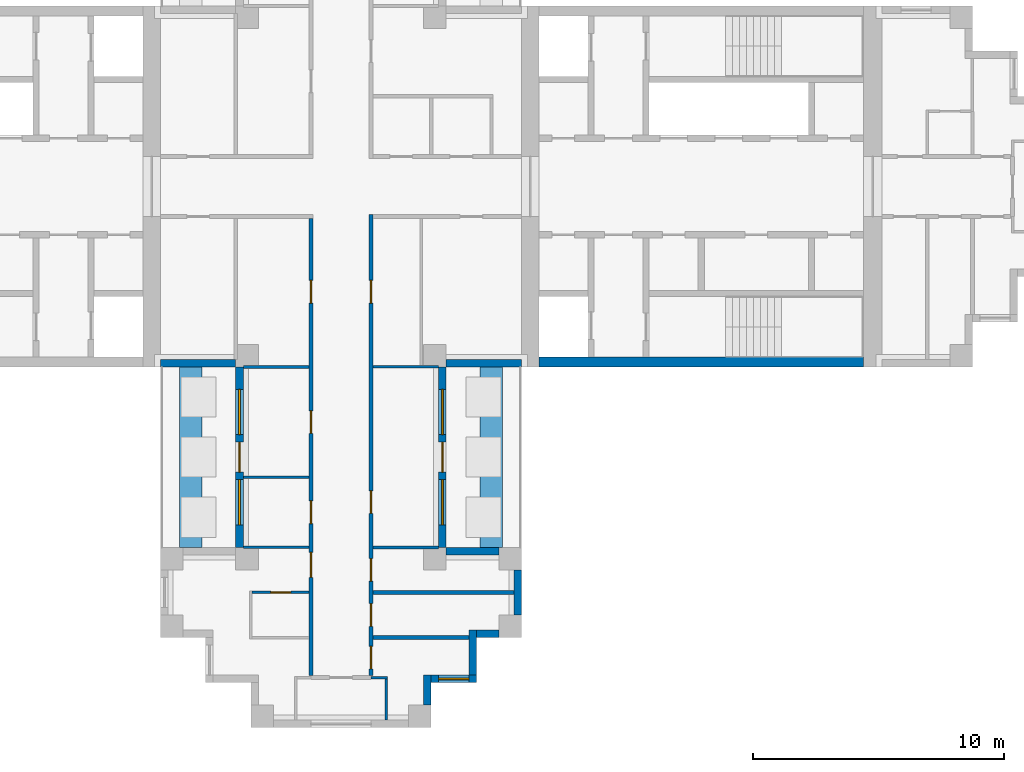
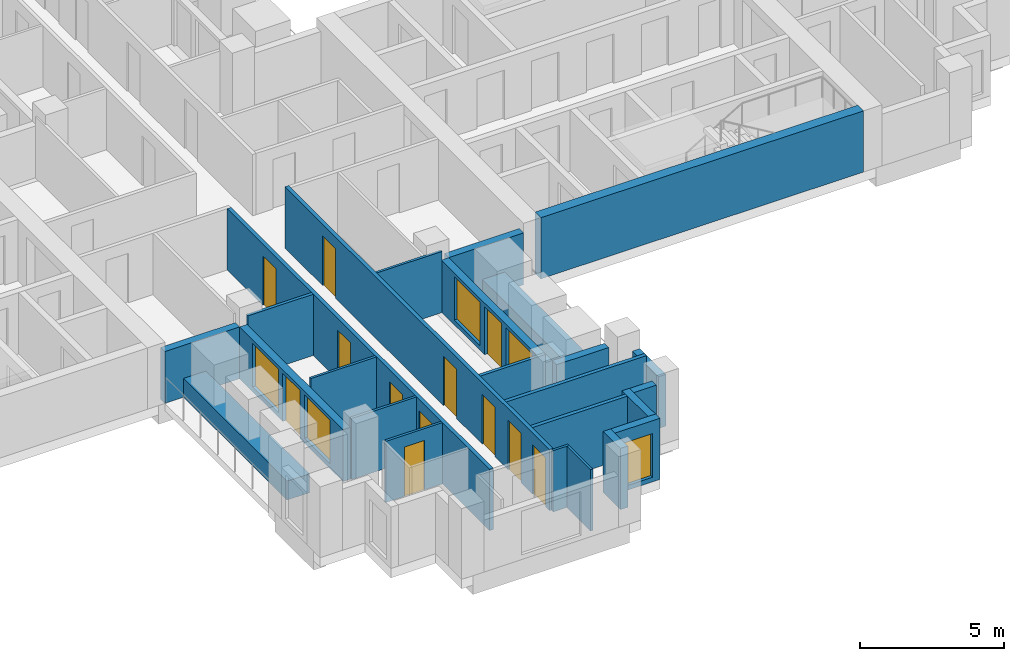
# One storey, part 4 of 10: 25 walls, 12 doors, 5 windows, 17 openings.
"""IFC4 building model written with IfcOpenShell, lengths in metres."""

from ifc_helpers import new_model, si_unit, direction, frame, frame_2d, origin, place, context, subcontext, project, spatial, rectangle, extrude, material, layer, layer_set, type_object, element, fill, save


model = new_model("IFC4")

# Units and contexts
model_context = context("Model", 3, precision=1e-05, world=origin(), true_north=direction((0.0, 1.0)))
body_context = subcontext(model_context, "Body", "Model", "MODEL_VIEW")
ifc_project = project(units=[si_unit("LENGTHUNIT", "METRE"), si_unit("AREAUNIT", "SQUARE_METRE"), si_unit("VOLUMEUNIT", "CUBIC_METRE"), si_unit("PLANEANGLEUNIT", "RADIAN"), si_unit("MASSUNIT", "GRAM", prefix="KILO")], contexts=[model_context])

# Site, building, storey
site_placement = place(None, origin())
site = spatial("IfcSite", under=ifc_project, at=site_placement, CompositionType="ELEMENT")
building_placement = place(site_placement, origin())
building = spatial("IfcBuilding", under=site, at=building_placement, Name="Fustian Cross Tower", CompositionType="ELEMENT")
storey_placement = place(building_placement, frame((0.0, 0.0, 185.699951171875)))
storey = spatial("IfcBuildingStorey", under=building, at=storey_placement, Name="L58", CompositionType="ELEMENT", Elevation=185.699951171875)

# Wall, openings, doors
ifc_material_1 = material(Name="Plasterboard on steel stud", Category="steel")
ifc_layer_1 = layer(ifc_material_1, 0.14990234375)
ifc_layer_set_1 = layer_set([ifc_layer_1], Name="Plasterboard on steel stud")
wall_type_1 = type_object("IfcWallType", Name="COMPARTMENT WALL 150 EI 60", PredefinedType="PARTITIONING", material=ifc_layer_set_1)
wall_1_placement = place(storey_placement, frame((-1.199951171875, -19.52490234375, 0.0), z_axis=(0.0, 0.0, 1.0), x_axis=(0.0, 1.0, 0.0)))
wall_1 = element("IfcWall", 1, at=wall_1_placement, inside=storey, type_object=wall_type_1, Name="Partition 31", PredefinedType="PARTITIONING", context=body_context, shape_type="SweptSolid", body=[
    extrude(rectangle(XDim=18.25, YDim=0.14990234375, at=frame_2d((9.125, 0.0))), origin(), (0.0, 0.0, 1.0), 2.60009765625),
])
opening_1_placement = place(wall_1_placement, frame((14.875, 0.0, 0.0)))
opening_1 = element("IfcOpeningElement", 2, at=opening_1_placement, cuts=wall_1, Name="Opening D26008", PredefinedType="OPENING", context=body_context, shape_type="SweptSolid", body=[
    extrude(rectangle(XDim=0.89990234375, YDim=2.10009765625, at=frame_2d((0.449951171875, 1.050048828125))), frame((0.0, 0.0849609375, 0.0), z_axis=(0.0, -1.0, 0.0), x_axis=(1.0, 0.0, 0.0)), (0.0, 0.0, 1.0), 0.169921875),
])
opening_2_placement = place(wall_1_placement, frame((6.074951171875, 0.0, 0.0)))
opening_2 = element("IfcOpeningElement", 3, at=opening_2_placement, cuts=wall_1, Name="Opening D26043", PredefinedType="OPENING", context=body_context, shape_type="SweptSolid", body=[
    extrude(rectangle(XDim=0.89990234375, YDim=2.10009765625, at=frame_2d((0.449951171875, 1.050048828125))), frame((0.0, 0.0849609375, 0.0), z_axis=(0.0, -1.0, 0.0), x_axis=(1.0, 0.0, 0.0)), (0.0, 0.0, 1.0), 0.169921875),
])
opening_3_placement = place(wall_1_placement, frame((9.675048828125, 0.0, 0.0)))
opening_3 = element("IfcOpeningElement", 4, at=opening_3_placement, cuts=wall_1, Name="Opening D26044", PredefinedType="OPENING", context=body_context, shape_type="SweptSolid", body=[
    extrude(rectangle(XDim=0.89990234375, YDim=2.10009765625, at=frame_2d((0.449951171875, 1.050048828125))), frame((0.0, 0.0849609375, 0.0), z_axis=(0.0, -1.0, 0.0), x_axis=(1.0, 0.0, 0.0)), (0.0, 0.0, 1.0), 0.169921875),
])
opening_4_placement = place(wall_1_placement, frame((3.925048828125, 0.0, 0.0)))
opening_4 = element("IfcOpeningElement", 5, at=opening_4_placement, cuts=wall_1, Name="Opening D26046", PredefinedType="OPENING", context=body_context, shape_type="SweptSolid", body=[
    extrude(rectangle(XDim=1.0, YDim=2.10009765625, at=frame_2d((0.5, 1.050048828125))), frame((0.0, 0.0849609375, 0.0), z_axis=(0.0, -1.0, 0.0), x_axis=(1.0, 0.0, 0.0)), (0.0, 0.0, 1.0), 0.169921875),
])
ifc_material_2 = material(Name="Timber fire door set", Category="wood")
door_type_1 = type_object("IfcDoorType", Name="FIRE SWING DOOR 1000 FD30S", OperationType="SINGLE_SWING_LEFT", PredefinedType="DOOR", material=ifc_material_2)
door_1_placement = place(opening_4_placement, origin())
door_1 = element("IfcDoor", 6, at=door_1_placement, inside=storey, type_object=door_type_1, Name="Door D26046", OperationType="SINGLE_SWING_RIGHT", OverallHeight=2.10009765625, OverallWidth=1.0, PredefinedType="DOOR", context=body_context, shape_type="SweptSolid", body=[
    extrude(rectangle(XDim=1.0, YDim=2.10009765625, at=frame_2d((0.5, 1.050048828125))), frame((0.0, 0.02490234375, 0.0), z_axis=(0.0, -1.0, 0.0), x_axis=(1.0, 0.0, 0.0)), (0.0, 0.0, 1.0), 0.050048828125),
])
fill(opening_4, door_1)
ifc_material_3 = material(Name="Timber fire door set", Category="wood")
door_type_2 = type_object("IfcDoorType", Name="FIRE SWING DOOR 900 FD30S", OperationType="SINGLE_SWING_LEFT", PredefinedType="DOOR", material=ifc_material_3)
door_2_placement = place(opening_1_placement, origin())
door_2 = element("IfcDoor", 7, at=door_2_placement, inside=storey, type_object=door_type_2, Name="Door D26008", OperationType="SINGLE_SWING_LEFT", OverallHeight=2.10009765625, OverallWidth=0.89990234375, PredefinedType="DOOR", context=body_context, shape_type="SweptSolid", body=[
    extrude(rectangle(XDim=0.89990234375, YDim=2.10009765625, at=frame_2d((0.449951171875, 1.050048828125))), frame((0.0, 0.02490234375, 0.0), z_axis=(0.0, -1.0, 0.0), x_axis=(1.0, 0.0, 0.0)), (0.0, 0.0, 1.0), 0.050048828125),
])
fill(opening_1, door_2)
door_3_placement = place(opening_2_placement, origin())
door_3 = element("IfcDoor", 8, at=door_3_placement, inside=storey, type_object=door_type_2, Name="Door D26043", OperationType="SINGLE_SWING_LEFT", OverallHeight=2.10009765625, OverallWidth=0.89990234375, PredefinedType="DOOR", context=body_context, shape_type="SweptSolid", body=[
    extrude(rectangle(XDim=0.89990234375, YDim=2.10009765625, at=frame_2d((0.449951171875, 1.050048828125))), frame((0.0, 0.02490234375, 0.0), z_axis=(0.0, -1.0, 0.0), x_axis=(1.0, 0.0, 0.0)), (0.0, 0.0, 1.0), 0.050048828125),
])
fill(opening_2, door_3)
door_4_placement = place(opening_3_placement, origin())
door_4 = element("IfcDoor", 9, at=door_4_placement, inside=storey, type_object=door_type_2, Name="Door D26044", OperationType="SINGLE_SWING_LEFT", OverallHeight=2.10009765625, OverallWidth=0.89990234375, PredefinedType="DOOR", context=body_context, shape_type="SweptSolid", body=[
    extrude(rectangle(XDim=0.89990234375, YDim=2.10009765625, at=frame_2d((0.449951171875, 1.050048828125))), frame((0.0, 0.02490234375, 0.0), z_axis=(0.0, -1.0, 0.0), x_axis=(1.0, 0.0, 0.0)), (0.0, 0.0, 1.0), 0.050048828125),
])
fill(opening_3, door_4)

wall_2_placement = place(storey_placement, frame((1.199951171875, -19.52490234375, 0.0), z_axis=(0.0, 0.0, 1.0), x_axis=(0.0, 1.0, 0.0)))
wall_2 = element("IfcWall", 10, at=wall_2_placement, inside=storey, type_object=wall_type_1, Name="Partition 35", PredefinedType="PARTITIONING", context=body_context, shape_type="SweptSolid", body=[
    extrude(rectangle(XDim=18.39990234375, YDim=0.14990234375, at=frame_2d((9.199951171875, 0.0))), origin(), (0.0, 0.0, 1.0), 2.60009765625),
])
opening_5_placement = place(wall_2_placement, frame((14.875, 0.0, 0.0)))
opening_5 = element("IfcOpeningElement", 11, at=opening_5_placement, cuts=wall_2, Name="Opening D26006", PredefinedType="OPENING", context=body_context, shape_type="SweptSolid", body=[
    extrude(rectangle(XDim=0.89990234375, YDim=2.10009765625, at=frame_2d((0.449951171875, 1.050048828125))), frame((0.0, 0.0849609375, 0.0), z_axis=(0.0, -1.0, 0.0), x_axis=(1.0, 0.0, 0.0)), (0.0, 0.0, 1.0), 0.169921875),
])
opening_6_placement = place(wall_2_placement, frame((6.47509765625, 0.0, 0.0)))
opening_6 = element("IfcOpeningElement", 12, at=opening_6_placement, cuts=wall_2, Name="Opening D26039", PredefinedType="OPENING", context=body_context, shape_type="SweptSolid", body=[
    extrude(rectangle(XDim=0.89990234375, YDim=2.10009765625, at=frame_2d((0.449951171875, 1.050048828125))), frame((0.0, 0.0849609375, 0.0), z_axis=(0.0, -1.0, 0.0), x_axis=(1.0, 0.0, 0.0)), (0.0, 0.0, 1.0), 0.169921875),
])
opening_7_placement = place(wall_2_placement, frame((3.77490234375, 0.0, 0.0)))
opening_7 = element("IfcOpeningElement", 13, at=opening_7_placement, cuts=wall_2, Name="Opening D26040", PredefinedType="OPENING", context=body_context, shape_type="SweptSolid", body=[
    extrude(rectangle(XDim=0.89990234375, YDim=2.10009765625, at=frame_2d((0.449951171875, 1.050048828125))), frame((0.0, 0.0849609375, 0.0), z_axis=(0.0, -1.0, 0.0), x_axis=(1.0, 0.0, 0.0)), (0.0, 0.0, 1.0), 0.169921875),
])
opening_8_placement = place(wall_2_placement, frame((1.97509765625, 0.0, 0.0)))
opening_8 = element("IfcOpeningElement", 14, at=opening_8_placement, cuts=wall_2, Name="Opening D26041", PredefinedType="OPENING", context=body_context, shape_type="SweptSolid", body=[
    extrude(rectangle(XDim=0.89990234375, YDim=2.10009765625, at=frame_2d((0.449951171875, 1.050048828125))), frame((0.0, 0.0849609375, 0.0), z_axis=(0.0, -1.0, 0.0), x_axis=(1.0, 0.0, 0.0)), (0.0, 0.0, 1.0), 0.169921875),
])
opening_9_placement = place(wall_2_placement, frame((0.27490234375, 0.0, 0.0)))
opening_9 = element("IfcOpeningElement", 15, at=opening_9_placement, cuts=wall_2, Name="Opening D26042", PredefinedType="OPENING", context=body_context, shape_type="SweptSolid", body=[
    extrude(rectangle(XDim=0.89990234375, YDim=2.10009765625, at=frame_2d((0.449951171875, 1.050048828125))), frame((0.0, 0.0849609375, 0.0), z_axis=(0.0, -1.0, 0.0), x_axis=(1.0, 0.0, 0.0)), (0.0, 0.0, 1.0), 0.169921875),
])
door_5_placement = place(opening_5_placement, frame((0.89990234375, 0.0, 0.0), z_axis=(0.0, 0.0, 1.0), x_axis=(-1.0, 0.0, 0.0)))
door_5 = element("IfcDoor", 16, at=door_5_placement, inside=storey, type_object=door_type_2, Name="Door D26006", OperationType="SINGLE_SWING_RIGHT", OverallHeight=2.10009765625, OverallWidth=0.89990234375, PredefinedType="DOOR", context=body_context, shape_type="SweptSolid", body=[
    extrude(rectangle(XDim=0.89990234375, YDim=2.10009765625, at=frame_2d((0.449951171875, 1.050048828125))), frame((0.0, 0.02490234375, 0.0), z_axis=(0.0, -1.0, 0.0), x_axis=(1.0, 0.0, 0.0)), (0.0, 0.0, 1.0), 0.050048828125),
])
fill(opening_5, door_5)
door_6_placement = place(opening_6_placement, frame((0.89990234375, 0.0, 0.0), z_axis=(0.0, 0.0, 1.0), x_axis=(-1.0, 0.0, 0.0)))
door_6 = element("IfcDoor", 17, at=door_6_placement, inside=storey, type_object=door_type_2, Name="Door D26039", OperationType="SINGLE_SWING_RIGHT", OverallHeight=2.10009765625, OverallWidth=0.89990234375, PredefinedType="DOOR", context=body_context, shape_type="SweptSolid", body=[
    extrude(rectangle(XDim=0.89990234375, YDim=2.10009765625, at=frame_2d((0.449951171875, 1.050048828125))), frame((0.0, 0.02490234375, 0.0), z_axis=(0.0, -1.0, 0.0), x_axis=(1.0, 0.0, 0.0)), (0.0, 0.0, 1.0), 0.050048828125),
])
fill(opening_6, door_6)
door_7_placement = place(opening_7_placement, frame((0.89990234375, 0.0, 0.0), z_axis=(0.0, 0.0, 1.0), x_axis=(-1.0, 0.0, 0.0)))
door_7 = element("IfcDoor", 18, at=door_7_placement, inside=storey, type_object=door_type_2, Name="Door D26040", OperationType="SINGLE_SWING_LEFT", OverallHeight=2.10009765625, OverallWidth=0.89990234375, PredefinedType="DOOR", context=body_context, shape_type="SweptSolid", body=[
    extrude(rectangle(XDim=0.89990234375, YDim=2.10009765625, at=frame_2d((0.449951171875, 1.050048828125))), frame((0.0, 0.02490234375, 0.0), z_axis=(0.0, -1.0, 0.0), x_axis=(1.0, 0.0, 0.0)), (0.0, 0.0, 1.0), 0.050048828125),
])
fill(opening_7, door_7)
door_8_placement = place(opening_8_placement, frame((0.89990234375, 0.0, 0.0), z_axis=(0.0, 0.0, 1.0), x_axis=(-1.0, 0.0, 0.0)))
door_8 = element("IfcDoor", 19, at=door_8_placement, inside=storey, type_object=door_type_2, Name="Door D26041", OperationType="SINGLE_SWING_LEFT", OverallHeight=2.10009765625, OverallWidth=0.89990234375, PredefinedType="DOOR", context=body_context, shape_type="SweptSolid", body=[
    extrude(rectangle(XDim=0.89990234375, YDim=2.10009765625, at=frame_2d((0.449951171875, 1.050048828125))), frame((0.0, 0.02490234375, 0.0), z_axis=(0.0, -1.0, 0.0), x_axis=(1.0, 0.0, 0.0)), (0.0, 0.0, 1.0), 0.050048828125),
])
fill(opening_8, door_8)
door_9_placement = place(opening_9_placement, frame((0.89990234375, 0.0, 0.0), z_axis=(0.0, 0.0, 1.0), x_axis=(-1.0, 0.0, 0.0)))
door_9 = element("IfcDoor", 20, at=door_9_placement, inside=storey, type_object=door_type_2, Name="Door D26042", OperationType="SINGLE_SWING_RIGHT", OverallHeight=2.10009765625, OverallWidth=0.89990234375, PredefinedType="DOOR", context=body_context, shape_type="SweptSolid", body=[
    extrude(rectangle(XDim=0.89990234375, YDim=2.10009765625, at=frame_2d((0.449951171875, 1.050048828125))), frame((0.0, 0.02490234375, 0.0), z_axis=(0.0, -1.0, 0.0), x_axis=(1.0, 0.0, 0.0)), (0.0, 0.0, 1.0), 0.050048828125),
])
fill(opening_9, door_9)

# Walls
wall_3_placement = place(storey_placement, frame((1.27490234375, -18.0, 0.0), z_axis=(0.0, 0.0, 1.0), x_axis=(1.0, 0.0, 0.0)))
element("IfcWall", 21, at=wall_3_placement, inside=storey, type_object=wall_type_1, Name="Partition 37", PredefinedType="PARTITIONING", context=body_context, shape_type="SweptSolid", body=[
    extrude(rectangle(XDim=3.8251953125, YDim=0.14990234375, at=frame_2d((1.91259765625, 0.0))), origin(), (0.0, 0.0, 1.0), 2.60009765625),
])
wall_4_placement = place(storey_placement, frame((1.27490234375, -16.199951171875, 0.0), z_axis=(0.0, 0.0, 1.0), x_axis=(1.0, 0.0, 0.0)))
element("IfcWall", 22, at=wall_4_placement, inside=storey, type_object=wall_type_1, Name="Partition 38", PredefinedType="PARTITIONING", context=body_context, shape_type="SweptSolid", body=[
    extrude(rectangle(XDim=5.625, YDim=0.14990234375, at=frame_2d((2.8125, 0.0))), origin(), (0.0, 0.0, 1.0), 2.60009765625),
])
ifc_material_4 = material(Name="Concrete C50/60", Category="concrete")
ifc_layer_2 = layer(ifc_material_4, 0.39990234375)
ifc_layer_set_2 = layer_set([ifc_layer_2], Name="Concrete C50/60")
wall_type_2 = type_object("IfcWallType", Name="CORE FACADE WALL 400 C50/60", PredefinedType="SHEAR", material=ifc_layer_set_2)
wall_5_placement = place(storey_placement, frame((7.89990234375, -7.0, 0.0), z_axis=(0.0, 0.0, 1.0), x_axis=(1.0, 0.0, 0.0)))
element("IfcWall", 23, at=wall_5_placement, inside=storey, type_object=wall_type_2, Name="Core facade wall", PredefinedType="SHEAR", context=body_context, shape_type="SweptSolid", body=[
    extrude(rectangle(XDim=12.9501953125, YDim=0.39990234375, at=frame_2d((6.47509765625, 0.0))), origin(), (0.0, 0.0, 1.0), 2.60009765625),
])
ifc_material_5 = material(Name="Plasterboard on steel stud", Category="steel")
ifc_layer_3 = layer(ifc_material_5, 0.10009765625)
ifc_layer_set_3 = layer_set([ifc_layer_3], Name="Plasterboard on steel stud")
wall_type_3 = type_object("IfcWallType", Name="PARTITION 100 STUD", PredefinedType="PARTITIONING", material=ifc_layer_set_3)
for number, where, z_axis, x_axis, name in (
    (24, (-3.89990234375, -14.39990234375, 0.0), (0.0, 0.0, 1.0), (1.0, 0.0, 0.0), "Partition 18"),
    (25, (-3.89990234375, -11.60009765625, 0.0), (0.0, 0.0, 1.0), (1.0, 0.0, 0.0), "Partition 19"),
):
    element("IfcWall", number, at=place(storey_placement, frame(where, z_axis=z_axis, x_axis=x_axis)), inside=storey, type_object=wall_type_3, Name=name, PredefinedType="PARTITIONING", context=body_context, shape_type="SweptSolid", body=[
        extrude(rectangle(XDim=2.625, YDim=0.10009765625, at=frame_2d((1.3125, 0.0))), origin(), (0.0, 0.0, 1.0), 2.60009765625),
    ])

# Wall, opening, door
wall_6_placement = place(storey_placement, frame((-3.550048828125, -16.199951171875, 0.0), z_axis=(0.0, 0.0, 1.0), x_axis=(1.0, 0.0, 0.0)))
wall_6 = element("IfcWall", 26, at=wall_6_placement, inside=storey, type_object=wall_type_3, Name="Partition 26", PredefinedType="PARTITIONING", context=body_context, shape_type="SweptSolid", body=[
    extrude(rectangle(XDim=2.275146484375, YDim=0.10009765625, at=frame_2d((1.1376953125, 0.0))), origin(), (0.0, 0.0, 1.0), 2.60009765625),
])
opening_10_placement = place(wall_6_placement, frame((0.75, 0.0, 0.0)))
opening_10 = element("IfcOpeningElement", 27, at=opening_10_placement, cuts=wall_6, Name="Opening D26045", PredefinedType="OPENING", context=body_context, shape_type="SweptSolid", body=[
    extrude(rectangle(XDim=0.800048828125, YDim=2.10009765625, at=frame_2d((0.39990234375, 1.050048828125))), frame((0.0, 0.06005859375, 0.0), z_axis=(0.0, -1.0, 0.0), x_axis=(1.0, 0.0, 0.0)), (0.0, 0.0, 1.0), 0.1201171875),
])
ifc_material_6 = material(Name="Painted timber", Category="wood")
door_type_3 = type_object("IfcDoorType", Name="SWING DOOR 800", OperationType="SINGLE_SWING_LEFT", PredefinedType="DOOR", material=ifc_material_6)
door_10_placement = place(opening_10_placement, frame((0.800048828125, 0.0, 0.0), z_axis=(0.0, 0.0, 1.0), x_axis=(-1.0, 0.0, 0.0)))
door_10 = element("IfcDoor", 28, at=door_10_placement, inside=storey, type_object=door_type_3, Name="Door D26045", OperationType="SINGLE_SWING_RIGHT", OverallHeight=2.10009765625, OverallWidth=0.800048828125, PredefinedType="DOOR", context=body_context, shape_type="SweptSolid", body=[
    extrude(rectangle(XDim=0.800048828125, YDim=2.10009765625, at=frame_2d((0.39990234375, 1.050048828125))), frame((0.0, 0.02490234375, 0.0), z_axis=(0.0, -1.0, 0.0), x_axis=(1.0, 0.0, 0.0)), (0.0, 0.0, 1.0), 0.050048828125),
])
fill(opening_10, door_10)

# Walls
wall_7_placement = place(storey_placement, frame((1.199951171875, -19.60009765625, 0.0), z_axis=(0.0, 0.0, 1.0), x_axis=(1.0, 0.0, 0.0)))
element("IfcWall", 29, at=wall_7_placement, inside=storey, type_object=wall_type_3, Name="Partition 36", PredefinedType="PARTITIONING", context=body_context, shape_type="SweptSolid", body=[
    extrude(rectangle(XDim=0.650146484375, YDim=0.10009765625, at=frame_2d((0.3251953125, 0.0))), origin(), (0.0, 0.0, 1.0), 2.60009765625),
])
wall_8_placement = place(storey_placement, frame((1.27490234375, -7.199951171875, 0.0), z_axis=(0.0, 0.0, 1.0), x_axis=(1.0, 0.0, 0.0)))
element("IfcWall", 30, at=wall_8_placement, inside=storey, type_object=wall_type_3, Name="Partition 40", PredefinedType="PARTITIONING", context=body_context, shape_type="SweptSolid", body=[
    extrude(rectangle(XDim=2.625, YDim=0.10009765625, at=frame_2d((1.3125, 0.0))), origin(), (0.0, 0.0, 1.0), 2.60009765625),
])
wall_9_placement = place(storey_placement, frame((1.800048828125, -21.300048828125, 0.0), z_axis=(0.0, 0.0, 1.0), x_axis=(0.0, 1.0, 0.0)))
element("IfcWall", 31, at=wall_9_placement, inside=storey, type_object=wall_type_3, Name="Partition 51", PredefinedType="PARTITIONING", context=body_context, shape_type="SweptSolid", body=[
    extrude(rectangle(XDim=1.650146484375, YDim=0.10009765625, at=frame_2d((0.8251953125, 0.0))), origin(), (0.0, 0.0, 1.0), 2.60009765625),
])
ifc_material_7 = material(Name="Concrete C40/50", Category="concrete")
ifc_layer_4 = layer(ifc_material_7, 0.89990234375)
ifc_layer_set_4 = layer_set([ifc_layer_4], Name="Concrete C40/50")
wall_type_4 = type_object("IfcWallType", Name="PK1 PLANTER 900", PredefinedType="PARAPET", material=ifc_layer_set_4)
for number, where, z_axis, x_axis, name in (
    (32, (6.0, -14.39990234375, 0.0), (0.0, 0.0, 1.0), (0.0, 1.0, 0.0), "PLANTER"),
    (33, (-6.0, -14.39990234375, 0.0), (0.0, 0.0, 1.0), (0.0, 1.0, 0.0), "PLANTER"),
):
    element("IfcWall", number, at=place(storey_placement, frame(where, z_axis=z_axis, x_axis=x_axis)), inside=storey, type_object=wall_type_4, Name=name, PredefinedType="PARAPET", context=body_context, shape_type="SweptSolid", body=[
        extrude(rectangle(XDim=7.199951171875, YDim=0.89990234375, at=frame_2d((3.60009765625, 0.0))), origin(), (0.0, 0.0, 1.0), 0.800048828125),
    ])
ifc_material_8 = material(Name="Plasterboard on steel stud", Category="steel")
ifc_layer_5 = layer(ifc_material_8, 0.125)
ifc_layer_set_5 = layer_set([ifc_layer_5], Name="Plasterboard on steel stud")
wall_type_5 = type_object("IfcWallType", Name="WET WALL 125 STUD", PredefinedType="PARTITIONING", material=ifc_layer_set_5)
for number, where, z_axis, x_axis, name in (
    (34, (-3.89990234375, -7.199951171875, 0.0), (0.0, 0.0, 1.0), (1.0, 0.0, 0.0), "Partition 20"),
    (35, (1.27490234375, -14.39990234375, 0.0), (0.0, 0.0, 1.0), (1.0, 0.0, 0.0), "Partition 39"),
):
    element("IfcWall", number, at=place(storey_placement, frame(where, z_axis=z_axis, x_axis=x_axis)), inside=storey, type_object=wall_type_5, Name=name, PredefinedType="PARTITIONING", context=body_context, shape_type="SweptSolid", body=[
        extrude(rectangle(XDim=2.625, YDim=0.125, at=frame_2d((1.3125, 0.0))), origin(), (0.0, 0.0, 1.0), 2.60009765625),
    ])
ifc_material_9 = material(Name="Dark aluminium cladding on insulated backing wall", Category="aluminium")
ifc_layer_6 = layer(ifc_material_9, 0.300048828125)
ifc_layer_set_6 = layer_set([ifc_layer_6], Name="Dark aluminium cladding on insulated backing wall")
wall_type_6 = type_object("IfcWallType", Name="XW1 EXTERNAL WALL 300", PredefinedType="SOLIDWALL", material=ifc_layer_set_6)
wall_10_placement = place(storey_placement, frame((-7.199951171875, -7.050048828125, 0.0), z_axis=(0.0, 0.0, 1.0), x_axis=(1.0, 0.0, 0.0)))
element("IfcWall", 36, at=wall_10_placement, inside=storey, type_object=wall_type_6, Name="External wall", PredefinedType="SOLIDWALL", context=body_context, shape_type="SweptSolid", body=[
    extrude(rectangle(XDim=3.0, YDim=0.300048828125, at=frame_2d((1.5, 0.0))), origin(), (0.0, 0.0, 1.0), 2.199951171875),
])

# Wall, openings, door, windows
wall_11_placement = place(storey_placement, frame((-4.050048828125, -7.199951171875, 0.0), z_axis=(0.0, 0.0, 1.0), x_axis=(0.0, -1.0, 0.0)))
wall_11 = element("IfcWall", 37, at=wall_11_placement, inside=storey, type_object=wall_type_6, Name="External wall", PredefinedType="SOLIDWALL", context=body_context, shape_type="SweptSolid", body=[
    extrude(rectangle(XDim=7.199951171875, YDim=0.300048828125, at=frame_2d((3.60009765625, 0.0))), origin(), (0.0, 0.0, 1.0), 2.199951171875),
])
opening_11_placement = place(wall_11_placement, frame((3.0, 0.0, 0.0)))
opening_11 = element("IfcOpeningElement", 38, at=opening_11_placement, cuts=wall_11, Name="Opening XD4", PredefinedType="OPENING", context=body_context, shape_type="SweptSolid", body=[
    extrude(rectangle(XDim=1.199951171875, YDim=2.050048828125, at=frame_2d((0.60009765625, 1.02490234375))), frame((0.0, 0.159912109375, 0.0), z_axis=(0.0, -1.0, 0.0), x_axis=(1.0, 0.0, 0.0)), (0.0, 0.0, 1.0), 0.320068359375),
])
opening_12_placement = place(wall_11_placement, frame((0.89990234375, 0.0, 0.199951171875)))
opening_12 = element("IfcOpeningElement", 39, at=opening_12_placement, cuts=wall_11, Name="Opening WN2", PredefinedType="OPENING", context=body_context, shape_type="SweptSolid", body=[
    extrude(rectangle(XDim=1.800048828125, YDim=1.85009765625, at=frame_2d((0.89990234375, 0.925048828125))), frame((0.0, 0.159912109375, 0.0), z_axis=(0.0, -1.0, 0.0), x_axis=(1.0, 0.0, 0.0)), (0.0, 0.0, 1.0), 0.320068359375),
])
opening_13_placement = place(wall_11_placement, frame((4.5, 0.0, 0.199951171875)))
opening_13 = element("IfcOpeningElement", 40, at=opening_13_placement, cuts=wall_11, Name="Opening WN2", PredefinedType="OPENING", context=body_context, shape_type="SweptSolid", body=[
    extrude(rectangle(XDim=1.800048828125, YDim=1.85009765625, at=frame_2d((0.89990234375, 0.925048828125))), frame((0.0, 0.159912109375, 0.0), z_axis=(0.0, -1.0, 0.0), x_axis=(1.0, 0.0, 0.0)), (0.0, 0.0, 1.0), 0.320068359375),
])
ifc_material_10 = material(Name="Dark anodised aluminium and double glazing", Category="aluminium")
door_type_4 = type_object("IfcDoorType", Name="ED1 BALCONY DOOR 1200X2050", OperationType="SINGLE_SWING_LEFT", PredefinedType="DOOR", material=ifc_material_10)
door_11_placement = place(opening_11_placement, origin())
door_11 = element("IfcDoor", 41, at=door_11_placement, inside=storey, type_object=door_type_4, Name="Balcony door", OperationType="SINGLE_SWING_LEFT", OverallHeight=2.050048828125, OverallWidth=1.199951171875, PredefinedType="DOOR", context=body_context, shape_type="SweptSolid", body=[
    extrude(rectangle(XDim=1.199951171875, YDim=2.050048828125, at=frame_2d((0.60009765625, 1.02490234375))), frame((0.0, 0.02490234375, 0.0), z_axis=(0.0, -1.0, 0.0), x_axis=(1.0, 0.0, 0.0)), (0.0, 0.0, 1.0), 0.050048828125),
])
fill(opening_11, door_11)
ifc_material_11 = material(Name="Dark anodised aluminium and double glazing", Category="aluminium")
window_type_1 = type_object("IfcWindowType", Name="WN2 WINDOW 1800X1850", PartitioningType="SINGLE_PANEL", PredefinedType="WINDOW", material=ifc_material_11)
window_1_placement = place(opening_12_placement, origin())
window_1 = element("IfcWindow", 42, at=window_1_placement, inside=storey, type_object=window_type_1, Name="Window", OverallHeight=1.85009765625, OverallWidth=1.800048828125, PartitioningType="SINGLE_PANEL", PredefinedType="WINDOW", context=body_context, shape_type="SweptSolid", body=[
    extrude(rectangle(XDim=1.800048828125, YDim=1.85009765625, at=frame_2d((0.89990234375, 0.925048828125))), frame((0.0, 0.030029296875, 0.0), z_axis=(0.0, -1.0, 0.0), x_axis=(1.0, 0.0, 0.0)), (0.0, 0.0, 1.0), 0.06005859375),
])
fill(opening_12, window_1)
window_2_placement = place(opening_13_placement, origin())
window_2 = element("IfcWindow", 43, at=window_2_placement, inside=storey, type_object=window_type_1, Name="Window", OverallHeight=1.85009765625, OverallWidth=1.800048828125, PartitioningType="SINGLE_PANEL", PredefinedType="WINDOW", context=body_context, shape_type="SweptSolid", body=[
    extrude(rectangle(XDim=1.800048828125, YDim=1.85009765625, at=frame_2d((0.89990234375, 0.925048828125))), frame((0.0, 0.030029296875, 0.0), z_axis=(0.0, -1.0, 0.0), x_axis=(1.0, 0.0, 0.0)), (0.0, 0.0, 1.0), 0.06005859375),
])
fill(opening_13, window_2)

# Wall
wall_12_placement = place(storey_placement, frame((3.449951171875, -20.699951171875, 0.0), z_axis=(0.0, 0.0, 1.0), x_axis=(0.0, 1.0, 0.0)))
element("IfcWall", 44, at=wall_12_placement, inside=storey, type_object=wall_type_6, Name="External wall", PredefinedType="SOLIDWALL", context=body_context, shape_type="SweptSolid", body=[
    extrude(rectangle(XDim=1.199951171875, YDim=0.300048828125, at=frame_2d((0.60009765625, 0.0))), origin(), (0.0, 0.0, 1.0), 2.60009765625),
])

# Wall, opening, window
wall_13_placement = place(storey_placement, frame((3.60009765625, -19.64990234375, 0.0), z_axis=(0.0, 0.0, 1.0), x_axis=(1.0, 0.0, 0.0)))
wall_13 = element("IfcWall", 45, at=wall_13_placement, inside=storey, type_object=wall_type_6, Name="External wall", PredefinedType="SOLIDWALL", context=body_context, shape_type="SweptSolid", body=[
    extrude(rectangle(XDim=1.7998046875, YDim=0.300048828125, at=frame_2d((0.89990234375, 0.0))), origin(), (0.0, 0.0, 1.0), 2.60009765625),
])
opening_14_placement = place(wall_13_placement, frame((0.300048828125, 0.0, 0.199951171875)))
opening_14 = element("IfcOpeningElement", 46, at=opening_14_placement, cuts=wall_13, Name="Opening WN3", PredefinedType="OPENING", context=body_context, shape_type="SweptSolid", body=[
    extrude(rectangle(XDim=1.199951171875, YDim=1.85009765625, at=frame_2d((0.60009765625, 0.925048828125))), frame((0.0, 0.159912109375, 0.0), z_axis=(0.0, -1.0, 0.0), x_axis=(1.0, 0.0, 0.0)), (0.0, 0.0, 1.0), 0.320068359375),
])
ifc_material_12 = material(Name="Dark anodised aluminium and double glazing", Category="aluminium")
window_type_2 = type_object("IfcWindowType", Name="WN3 WINDOW 1200X1850", PartitioningType="SINGLE_PANEL", PredefinedType="WINDOW", material=ifc_material_12)
window_3_placement = place(opening_14_placement, origin())
window_3 = element("IfcWindow", 47, at=window_3_placement, inside=storey, type_object=window_type_2, Name="Window", OverallHeight=1.85009765625, OverallWidth=1.199951171875, PartitioningType="SINGLE_PANEL", PredefinedType="WINDOW", context=body_context, shape_type="SweptSolid", body=[
    extrude(rectangle(XDim=1.199951171875, YDim=1.85009765625, at=frame_2d((0.60009765625, 0.925048828125))), frame((0.0, 0.030029296875, 0.0), z_axis=(0.0, -1.0, 0.0), x_axis=(1.0, 0.0, 0.0)), (0.0, 0.0, 1.0), 0.06005859375),
])
fill(opening_14, window_3)

# Walls
wall_14_placement = place(storey_placement, frame((5.25, -19.5, 0.0), z_axis=(0.0, 0.0, 1.0), x_axis=(0.0, 1.0, 0.0)))
element("IfcWall", 48, at=wall_14_placement, inside=storey, type_object=wall_type_6, Name="External wall", PredefinedType="SOLIDWALL", context=body_context, shape_type="SweptSolid", body=[
    extrude(rectangle(XDim=1.800048828125, YDim=0.300048828125, at=frame_2d((0.89990234375, 0.0))), origin(), (0.0, 0.0, 1.0), 2.60009765625),
])
wall_15_placement = place(storey_placement, frame((5.39990234375, -17.85009765625, 0.0), z_axis=(0.0, 0.0, 1.0), x_axis=(1.0, 0.0, 0.0)))
element("IfcWall", 49, at=wall_15_placement, inside=storey, type_object=wall_type_6, Name="External wall", PredefinedType="SOLIDWALL", context=body_context, shape_type="SweptSolid", body=[
    extrude(rectangle(XDim=0.900146484375, YDim=0.300048828125, at=frame_2d((0.4501953125, 0.0))), origin(), (0.0, 0.0, 1.0), 2.60009765625),
])
wall_16_placement = place(storey_placement, frame((7.050048828125, -17.10009765625, 0.0), z_axis=(0.0, 0.0, 1.0), x_axis=(0.0, 1.0, 0.0)))
element("IfcWall", 50, at=wall_16_placement, inside=storey, type_object=wall_type_6, Name="External wall", PredefinedType="SOLIDWALL", context=body_context, shape_type="SweptSolid", body=[
    extrude(rectangle(XDim=1.800048828125, YDim=0.300048828125, at=frame_2d((0.89990234375, 0.0))), origin(), (0.0, 0.0, 1.0), 2.199951171875),
])
wall_17_placement = place(storey_placement, frame((6.300048828125, -14.550048828125, 0.0), z_axis=(0.0, 0.0, 1.0), x_axis=(-1.0, 0.0, 0.0)))
element("IfcWall", 51, at=wall_17_placement, inside=storey, type_object=wall_type_6, Name="External wall", PredefinedType="SOLIDWALL", context=body_context, shape_type="SweptSolid", body=[
    extrude(rectangle(XDim=2.10009765625, YDim=0.300048828125, at=frame_2d((1.050048828125, 0.0))), origin(), (0.0, 0.0, 1.0), 2.199951171875),
])

# Wall, openings, door, windows
wall_18_placement = place(storey_placement, frame((4.050048828125, -14.39990234375, 0.0), z_axis=(0.0, 0.0, 1.0), x_axis=(0.0, 1.0, 0.0)))
wall_18 = element("IfcWall", 52, at=wall_18_placement, inside=storey, type_object=wall_type_6, Name="External wall", PredefinedType="SOLIDWALL", context=body_context, shape_type="SweptSolid", body=[
    extrude(rectangle(XDim=7.199951171875, YDim=0.300048828125, at=frame_2d((3.60009765625, 0.0))), origin(), (0.0, 0.0, 1.0), 2.199951171875),
])
opening_15_placement = place(wall_18_placement, frame((3.0, 0.0, 0.0)))
opening_15 = element("IfcOpeningElement", 53, at=opening_15_placement, cuts=wall_18, Name="Opening XD3", PredefinedType="OPENING", context=body_context, shape_type="SweptSolid", body=[
    extrude(rectangle(XDim=1.199951171875, YDim=2.050048828125, at=frame_2d((0.60009765625, 1.02490234375))), frame((0.0, 0.159912109375, 0.0), z_axis=(0.0, -1.0, 0.0), x_axis=(1.0, 0.0, 0.0)), (0.0, 0.0, 1.0), 0.320068359375),
])
opening_16_placement = place(wall_18_placement, frame((0.89990234375, 0.0, 0.199951171875)))
opening_16 = element("IfcOpeningElement", 54, at=opening_16_placement, cuts=wall_18, Name="Opening WN2", PredefinedType="OPENING", context=body_context, shape_type="SweptSolid", body=[
    extrude(rectangle(XDim=1.800048828125, YDim=1.85009765625, at=frame_2d((0.89990234375, 0.925048828125))), frame((0.0, 0.159912109375, 0.0), z_axis=(0.0, -1.0, 0.0), x_axis=(1.0, 0.0, 0.0)), (0.0, 0.0, 1.0), 0.320068359375),
])
opening_17_placement = place(wall_18_placement, frame((4.5, 0.0, 0.199951171875)))
opening_17 = element("IfcOpeningElement", 55, at=opening_17_placement, cuts=wall_18, Name="Opening WN2", PredefinedType="OPENING", context=body_context, shape_type="SweptSolid", body=[
    extrude(rectangle(XDim=1.800048828125, YDim=1.85009765625, at=frame_2d((0.89990234375, 0.925048828125))), frame((0.0, 0.159912109375, 0.0), z_axis=(0.0, -1.0, 0.0), x_axis=(1.0, 0.0, 0.0)), (0.0, 0.0, 1.0), 0.320068359375),
])
door_12_placement = place(opening_15_placement, origin())
door_12 = element("IfcDoor", 56, at=door_12_placement, inside=storey, type_object=door_type_4, Name="Balcony door", OperationType="SINGLE_SWING_LEFT", OverallHeight=2.050048828125, OverallWidth=1.199951171875, PredefinedType="DOOR", context=body_context, shape_type="SweptSolid", body=[
    extrude(rectangle(XDim=1.199951171875, YDim=2.050048828125, at=frame_2d((0.60009765625, 1.02490234375))), frame((0.0, 0.02490234375, 0.0), z_axis=(0.0, -1.0, 0.0), x_axis=(1.0, 0.0, 0.0)), (0.0, 0.0, 1.0), 0.050048828125),
])
fill(opening_15, door_12)
window_4_placement = place(opening_16_placement, origin())
window_4 = element("IfcWindow", 57, at=window_4_placement, inside=storey, type_object=window_type_1, Name="Window", OverallHeight=1.85009765625, OverallWidth=1.800048828125, PartitioningType="SINGLE_PANEL", PredefinedType="WINDOW", context=body_context, shape_type="SweptSolid", body=[
    extrude(rectangle(XDim=1.800048828125, YDim=1.85009765625, at=frame_2d((0.89990234375, 0.925048828125))), frame((0.0, 0.030029296875, 0.0), z_axis=(0.0, -1.0, 0.0), x_axis=(1.0, 0.0, 0.0)), (0.0, 0.0, 1.0), 0.06005859375),
])
fill(opening_16, window_4)
window_5_placement = place(opening_17_placement, origin())
window_5 = element("IfcWindow", 58, at=window_5_placement, inside=storey, type_object=window_type_1, Name="Window", OverallHeight=1.85009765625, OverallWidth=1.800048828125, PartitioningType="SINGLE_PANEL", PredefinedType="WINDOW", context=body_context, shape_type="SweptSolid", body=[
    extrude(rectangle(XDim=1.800048828125, YDim=1.85009765625, at=frame_2d((0.89990234375, 0.925048828125))), frame((0.0, 0.030029296875, 0.0), z_axis=(0.0, -1.0, 0.0), x_axis=(1.0, 0.0, 0.0)), (0.0, 0.0, 1.0), 0.06005859375),
])
fill(opening_17, window_5)

# Wall
wall_19_placement = place(storey_placement, frame((4.199951171875, -7.050048828125, 0.0), z_axis=(0.0, 0.0, 1.0), x_axis=(1.0, 0.0, 0.0)))
element("IfcWall", 59, at=wall_19_placement, inside=storey, type_object=wall_type_6, Name="External wall", PredefinedType="SOLIDWALL", context=body_context, shape_type="SweptSolid", body=[
    extrude(rectangle(XDim=3.0, YDim=0.300048828125, at=frame_2d((1.5, 0.0))), origin(), (0.0, 0.0, 1.0), 2.199951171875),
])

save(model, "model.ifc")
